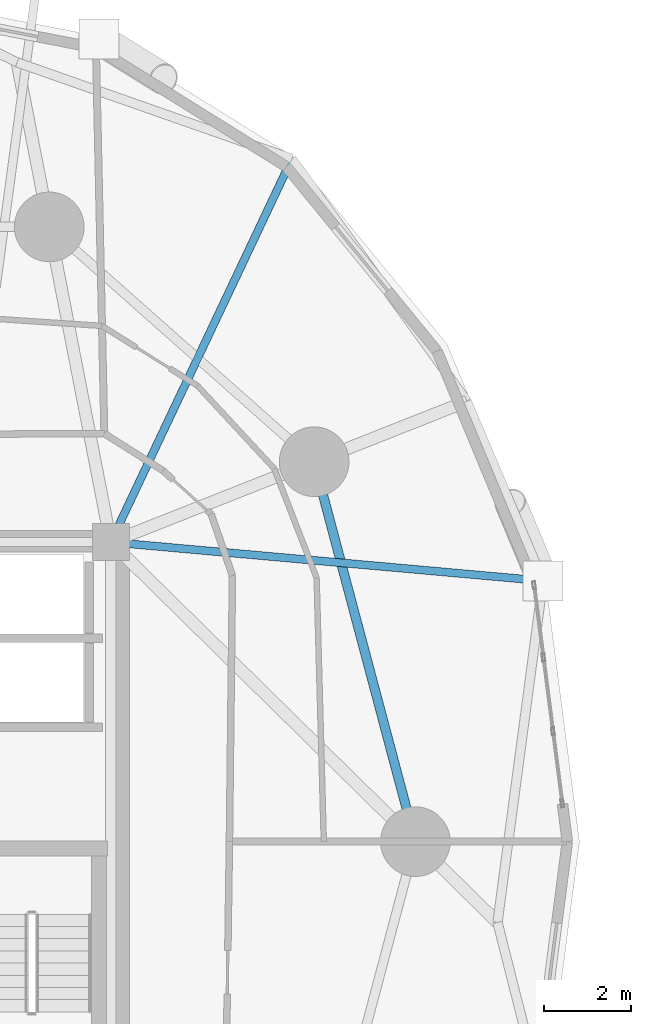
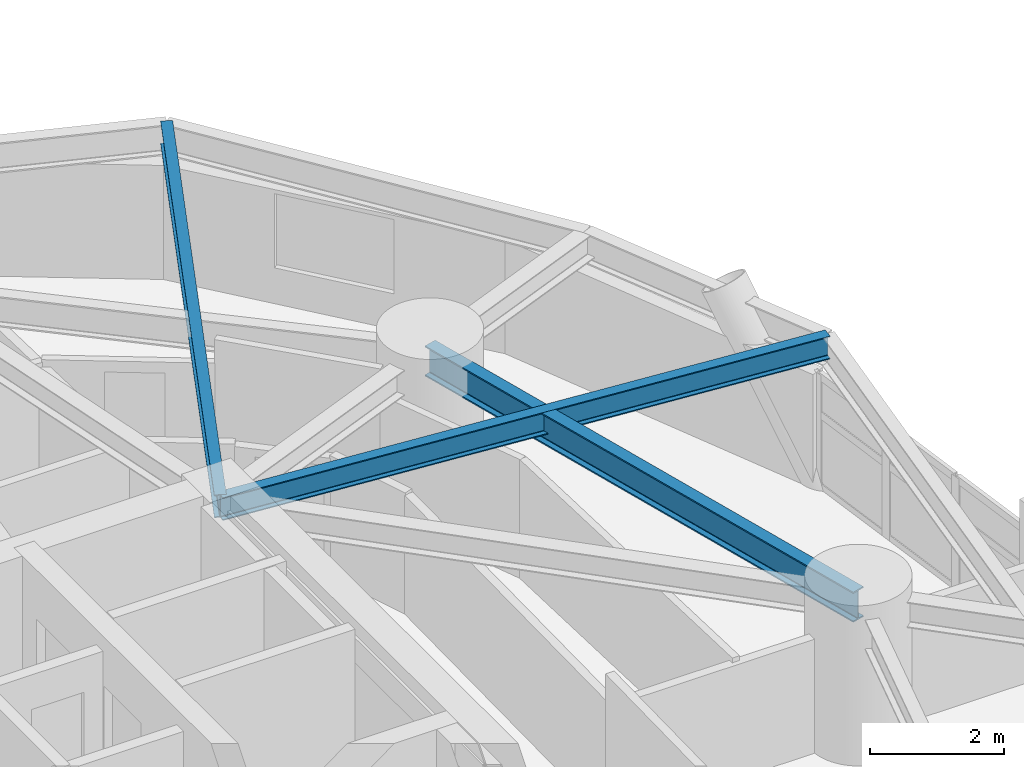
# One storey, part 3 of 18: 3 beams.
"""IFC4 building model written with IfcOpenShell, lengths in metres."""

from ifc_helpers import new_model, si_unit, direction, frame, origin, origin_2d, place, context, subcontext, project, spatial, i_section, extrude, material, material_profile, profile_set, type_object, element, save


model = new_model("IFC4")

# Units and contexts
model_context = context("Model", 3, precision=1e-05, world=origin(), true_north=direction((0.0, 1.0)))
body_context = subcontext(model_context, "Body", "Model", "MODEL_VIEW")
ifc_project = project(units=[si_unit("LENGTHUNIT", "METRE"), si_unit("AREAUNIT", "SQUARE_METRE"), si_unit("VOLUMEUNIT", "CUBIC_METRE"), si_unit("PLANEANGLEUNIT", "RADIAN"), si_unit("MASSUNIT", "GRAM", prefix="KILO")], contexts=[model_context])

# Site, building, storey
site_placement = place(None, origin())
site = spatial("IfcSite", under=ifc_project, at=site_placement, CompositionType="ELEMENT")
building_placement = place(site_placement, origin())
building = spatial("IfcBuilding", under=site, at=building_placement, Name="Cununo Teusaquillo Station Towers", CompositionType="ELEMENT")
storey_placement = place(building_placement, frame((0.0, 0.0, 56.919921875)))
storey = spatial("IfcBuildingStorey", under=building, at=storey_placement, Name="L17", CompositionType="ELEMENT", Elevation=56.919921875)

# Beams
ifc_material_1 = material(Name="Steel ASTM A572 Grade 50", Category="steel")
ifc_material_profile_1 = material_profile(ifc_material_1, i_section(OverallWidth=0.180908203125, OverallDepth=0.4169921875, WebThickness=0.010986328125, FlangeThickness=0.018310546875, FilletRadius=0.012939453125, at=origin_2d()), Name="W16X57")
ifc_profile_set_1 = profile_set([ifc_material_profile_1], Name="Steel ASTM A572 Grade 50")
beam_type_1 = type_object("IfcBeamType", Name="BM-JOIST-1", PredefinedType="JOIST", material=ifc_profile_set_1)
beam_1_placement = place(storey_placement, frame((21.675048828125, 31.3798828125, 2.441650390625), z_axis=(0.996024214913, -0.089082901314, 0.0), x_axis=(0.089082901314, 0.996024214913, 0.0)))
element("IfcBeam", 1, at=beam_1_placement, inside=storey, type_object=beam_type_1, Name="L17 Tower A Radial Spandrel Joist V01", PredefinedType="JOIST", context=body_context, shape_type="SweptSolid", body=[
    extrude(i_section(OverallWidth=0.180908203125, OverallDepth=0.4169921875, WebThickness=0.010986328125, FlangeThickness=0.018310546875, FilletRadius=0.012939453125, at=origin_2d()), origin(), (0.0, 0.0, 1.0), 9.97021484375),
])
beam_2_placement = place(storey_placement, frame((21.675048828125, 31.3798828125, 2.441650390625), z_axis=(0.427160580437, 0.904175778552, 0.0), x_axis=(-0.904175778552, 0.427160580437, 0.0)))
element("IfcBeam", 2, at=beam_2_placement, inside=storey, type_object=beam_type_1, Name="L17 Tower A Radial Spandrel Joist V03", PredefinedType="JOIST", context=body_context, shape_type="SweptSolid", body=[
    extrude(i_section(OverallWidth=0.180908203125, OverallDepth=0.4169921875, WebThickness=0.010986328125, FlangeThickness=0.018310546875, FilletRadius=0.012939453125, at=origin_2d()), origin(), (0.0, 0.0, 1.0), 9.740234375),
])
ifc_material_2 = material(Name="Steel ASTM A572 Grade 50", Category="steel")
ifc_material_profile_2 = material_profile(ifc_material_2, i_section(OverallWidth=0.214111328125, OverallDepth=0.549072265625, WebThickness=0.0146484375, FlangeThickness=0.023681640625, FilletRadius=0.014892578125, at=origin_2d()), Name="W21X93")
ifc_profile_set_2 = profile_set([ifc_material_profile_2], Name="Steel ASTM A572 Grade 50")
beam_type_2 = type_object("IfcBeamType", Name="BM-RING-Z1", PredefinedType="SPANDREL", material=ifc_profile_set_2)
beam_3_placement = place(storey_placement, frame((28.672119140625, 24.5, 2.37548828125), z_axis=(-0.257363196347, 0.966314744359, 0.0), x_axis=(-0.966314744359, -0.257363196347, 0.0)))
element("IfcBeam", 3, at=beam_3_placement, inside=storey, type_object=beam_type_2, Name="L17 Tower A Structural Column Ring Girder 01", PredefinedType="SPANDREL", context=body_context, shape_type="SweptSolid", body=[
    extrude(i_section(OverallWidth=0.214111328125, OverallDepth=0.549072265625, WebThickness=0.0146484375, FlangeThickness=0.023681640625, FilletRadius=0.014892578125, at=origin_2d()), origin(), (0.0, 0.0, 1.0), 9.03271484375),
])

save(model, "model.ifc")
